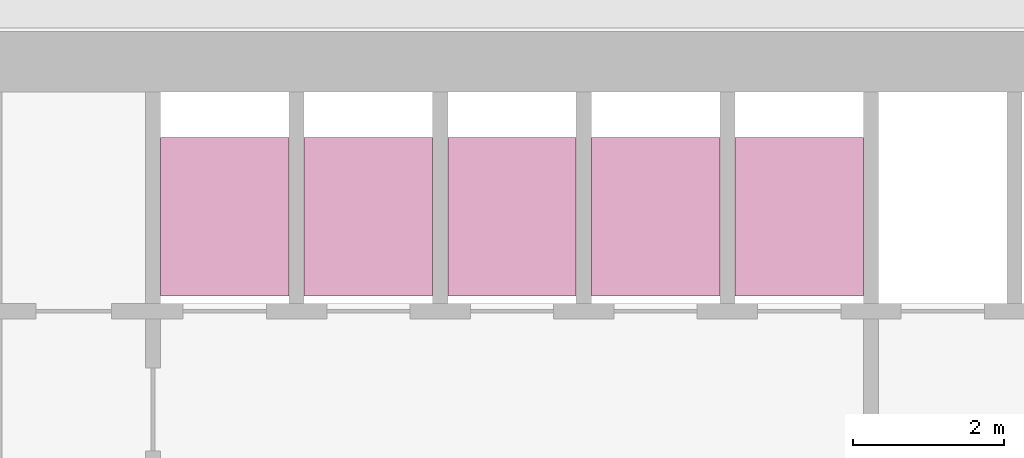
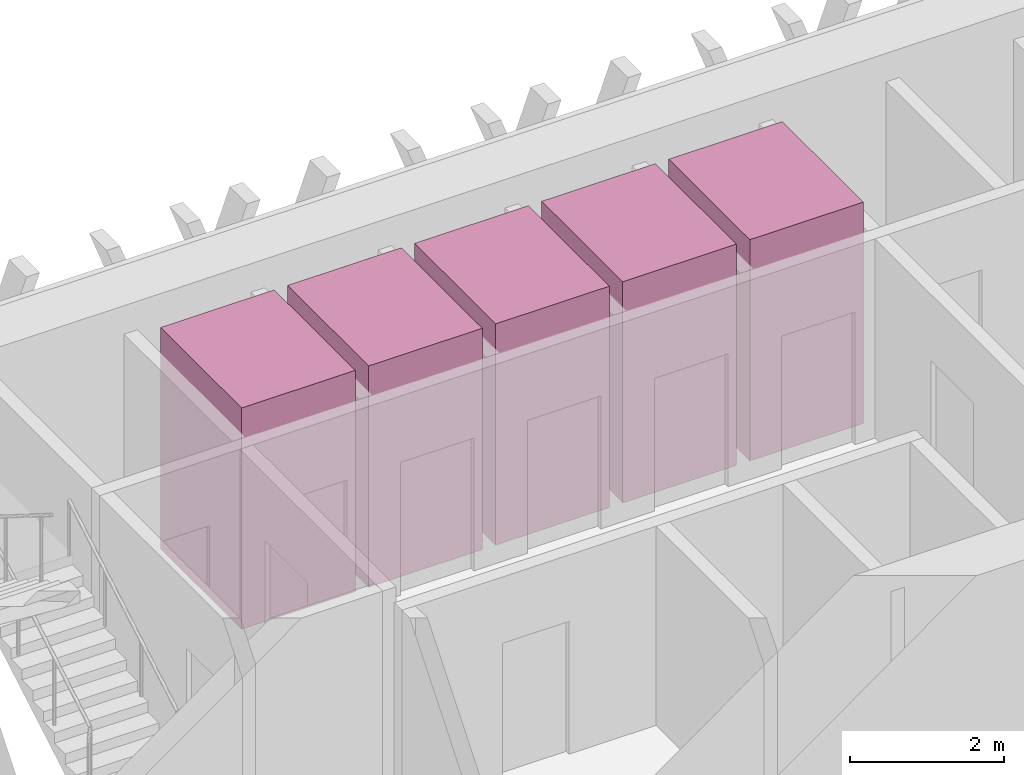
# One storey, part 16 of 16: 5 transport elements.
"""IFC4 building model written with IfcOpenShell, lengths in metres."""

from ifc_helpers import new_model, si_unit, direction, frame, origin, origin_2d, place, context, subcontext, project, spatial, rectangle, extrude, material, type_object, element, save


model = new_model("IFC4")

# Units and contexts
model_context = context("Model", 3, precision=1e-05, world=origin(), true_north=direction((0.0, 1.0)))
body_context = subcontext(model_context, "Body", "Model", "MODEL_VIEW")
ifc_project = project(units=[si_unit("LENGTHUNIT", "METRE"), si_unit("AREAUNIT", "SQUARE_METRE"), si_unit("VOLUMEUNIT", "CUBIC_METRE"), si_unit("PLANEANGLEUNIT", "RADIAN"), si_unit("MASSUNIT", "GRAM", prefix="KILO")], contexts=[model_context])

# Site, building, storey
site_placement = place(None, origin())
site = spatial("IfcSite", under=ifc_project, at=site_placement, CompositionType="ELEMENT")
building_placement = place(site_placement, origin())
building = spatial("IfcBuilding", under=site, at=building_placement, Name="Altiplano Prism Tower", CompositionType="ELEMENT")
storey_placement = place(building_placement, frame((0.0, 0.0, 135.0)))
storey = spatial("IfcBuildingStorey", under=building, at=storey_placement, Name="L34", CompositionType="ELEMENT", Elevation=135.0)

# Transport elements
ifc_material = material(Name="Stainless steel lift car", Category="steel")
transport_element_type = type_object("IfcTransportElementType", Name="Passenger lift car 1600 x 2100", PredefinedType="ELEVATOR", material=ifc_material)
for number, where, z_axis, x_axis, name in (
    (1, (79.050048828125, 101.75, 0.050048828125), (0.0, 0.0, 1.0), (1.0, 0.0, 0.0), "Mid Zone Passenger Lift 1"),
    (2, (80.949951171875, 101.75, 0.050048828125), (0.0, 0.0, 1.0), (1.0, 0.0, 0.0), "Mid Zone Passenger Lift 2"),
    (3, (82.85009765625, 101.75, 0.050048828125), (0.0, 0.0, 1.0), (1.0, 0.0, 0.0), "Mid Zone Passenger Lift 3"),
    (4, (84.75, 101.75, 0.050048828125), (0.0, 0.0, 1.0), (1.0, 0.0, 0.0), "Mid Zone Passenger Lift 4"),
    (5, (86.64990234375, 101.75, 0.050048828125), (0.0, 0.0, 1.0), (1.0, 0.0, 0.0), "Mid Zone Passenger Lift 5"),
):
    element("IfcTransportElement", number, at=place(storey_placement, frame(where, z_axis=z_axis, x_axis=x_axis)), inside=storey, type_object=transport_element_type, Name=name, PredefinedType="ELEVATOR", context=body_context, shape_type="SweptSolid", body=[
        extrude(rectangle(XDim=1.699951171875, YDim=2.10009765625, at=origin_2d()), origin(), (0.0, 0.0, 1.0), 3.5),
    ])

save(model, "model.ifc")
